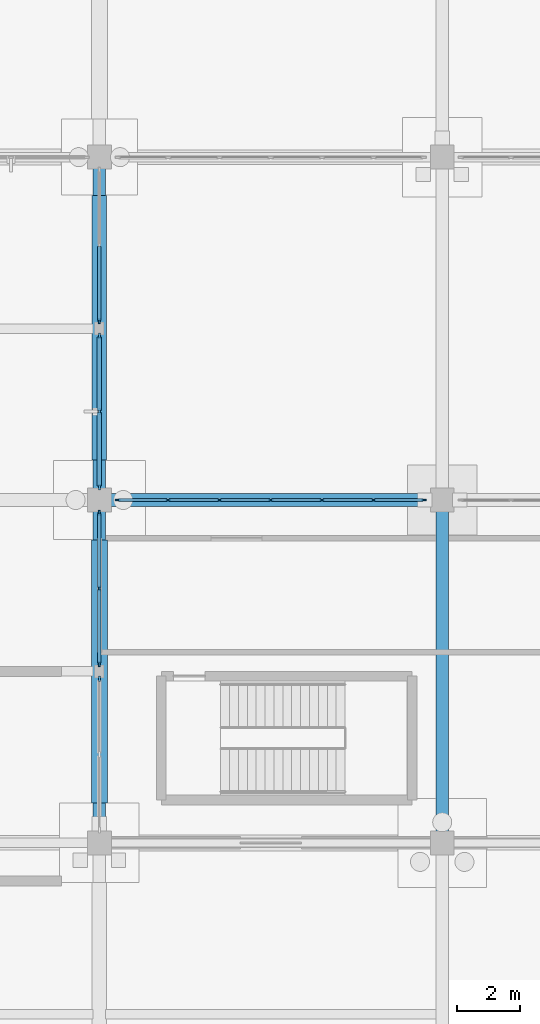
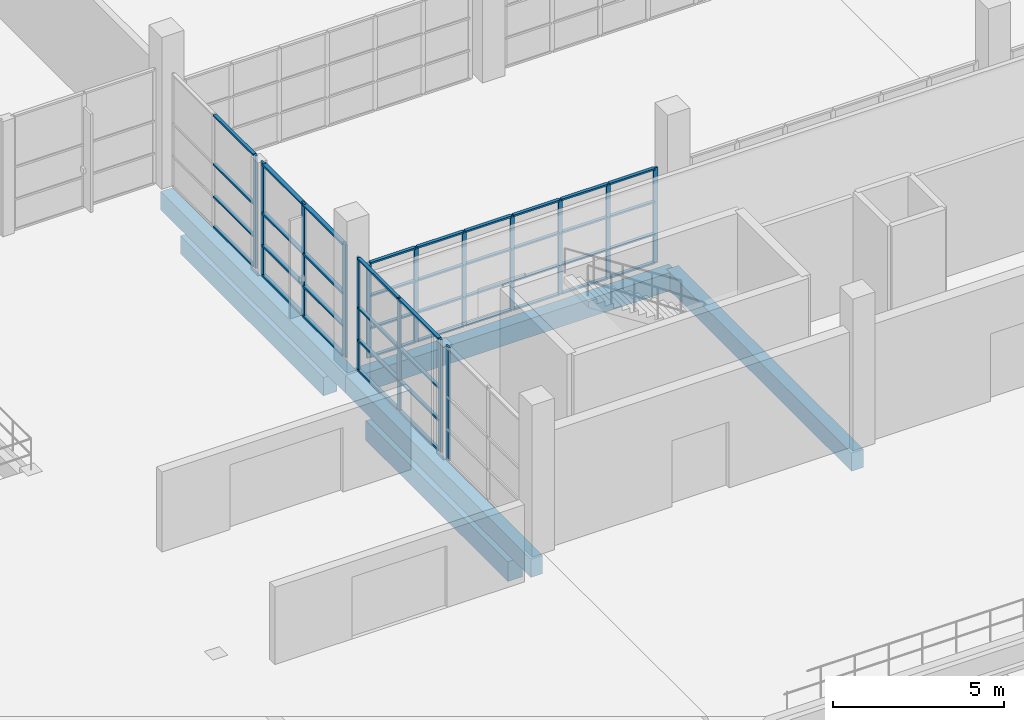
# One storey, part 33 of 138: 59 members, 6 beams, 5 elements without a shape of their own.
"""IFC4 building model written with IfcOpenShell, lengths in metres."""

import ifcopenshell
import ifcopenshell.guid

model = None  # the IFC model being written
_history = None  # IfcOwnerHistory: only IFC2X3 demands one
_inside = {}  # id of a spatial element -> (the spatial element, [elements in it])
_under = {}  # id of a project, library or spatial element -> (it, [spatial elements below it])
_declared = {}  # id of a project -> (the project, [libraries it declares])
_typed = {}  # id of a type object -> (the type object, [elements of that type])
_made_of = {}  # id of a material, layer set ... -> (it, [elements and type objects made of it])


def new_model(schema):
    """Start an empty IFC model of exactly this schema.

    Asked for "IFC4X3", IfcOpenShell would pick the latest addendum, in which some entities
    have other attributes; the version numbers below select the first issue.
    IFC2X3 requires an IfcOwnerHistory on every rooted entity: one is made here for all.
    """
    global model, _history
    if schema == "IFC4X3":
        model = ifcopenshell.file(schema_version=(4, 3, 0, 0))
    else:
        model = ifcopenshell.file(schema=schema)
    _inside.clear()
    _under.clear()
    _declared.clear()
    _typed.clear()
    _made_of.clear()
    _history = None
    if model.schema == "IFC2X3":
        org = make("IfcOrganization", Name="unknown")
        user = make(
            "IfcPersonAndOrganization",
            ThePerson=make("IfcPerson", FamilyName="unknown"),
            TheOrganization=org,
        )
        app = make(
            "IfcApplication",
            ApplicationDeveloper=org,
            Version="unknown",
            ApplicationFullName="unknown",
            ApplicationIdentifier="unknown",
        )
        _history = make(
            "IfcOwnerHistory",
            OwningUser=user,
            OwningApplication=app,
            ChangeAction="ADDED",
            CreationDate=0,
        )
    return model


def make(cls, **values):
    """One entity of the class cls with the attributes given. An attribute that is None is left unset."""
    return model.create_entity(
        cls, **{name: value for name, value in values.items() if value is not None}
    )


def rooted(cls, **values):
    """An entity with a GlobalId (a new one), such as an element, a storey or a relation."""
    return make(cls, GlobalId=ifcopenshell.guid.new(), OwnerHistory=_history, **values)


def si_unit(unit_type, name, prefix=None):
    """IfcSIUnit, for example si_unit("LENGTHUNIT", "METRE", prefix="MILLI")."""
    return make("IfcSIUnit", UnitType=unit_type, Prefix=prefix, Name=name)


def assignment(units):
    """IfcUnitAssignment: the units of a project."""
    return None if units is None else make("IfcUnitAssignment", Units=units)


def point(xyz):
    """IfcCartesianPoint."""
    return None if xyz is None else make("IfcCartesianPoint", Coordinates=xyz)


def direction(xyz):
    """IfcDirection."""
    return None if xyz is None else make("IfcDirection", DirectionRatios=xyz)


def frame(location, z_axis=None, x_axis=None):
    """IfcAxis2Placement3D, a coordinate frame: its origin and axes. An axis left out is left unset."""
    return make(
        "IfcAxis2Placement3D",
        Location=point(location),
        Axis=direction(z_axis),
        RefDirection=direction(x_axis),
    )


def frame_2d(location, x_axis=None):
    """IfcAxis2Placement2D, a coordinate frame in the plane: its origin and x axis."""
    return make(
        "IfcAxis2Placement2D", Location=point(location), RefDirection=direction(x_axis)
    )


def origin():
    """The frame at (0, 0, 0) with its axes left unset."""
    return frame((0.0, 0.0, 0.0))


def origin_2d():
    """The frame at (0, 0) in the plane with its x axis left unset."""
    return frame_2d((0.0, 0.0))


def place(relative_to, where):
    """IfcLocalPlacement: puts the frame where relative to a parent placement (None: the world)."""
    return make(
        "IfcLocalPlacement", PlacementRelTo=relative_to, RelativePlacement=where
    )


def context(
    kind, dimensions, precision=None, world=None, true_north=None, identifier=None
):
    """IfcGeometricRepresentationContext, for example the 3D "Model" context."""
    return make(
        "IfcGeometricRepresentationContext",
        ContextIdentifier=identifier,
        ContextType=kind,
        CoordinateSpaceDimension=dimensions,
        Precision=precision,
        WorldCoordinateSystem=world,
        TrueNorth=true_north,
    )


def subcontext(parent, identifier, kind, view, scale=None):
    """IfcGeometricRepresentationSubContext, for example "Body" below "Model"."""
    return make(
        "IfcGeometricRepresentationSubContext",
        ContextIdentifier=identifier,
        ContextType=kind,
        ParentContext=parent,
        TargetScale=scale,
        TargetView=view,
    )


def project(units=None, contexts=None):
    """IfcProject with its units and contexts."""
    return rooted(
        "IfcProject",
        Name="project",
        RepresentationContexts=contexts,
        UnitsInContext=assignment(units),
    )


def spatial(cls, under=None, at=None, **own):
    """A site, building, storey or space (cls), placed at a placement, below another one or the project."""
    s = rooted(cls, ObjectPlacement=at, **own)
    if under is not None:
        _under.setdefault(under.id(), (under, []))[1].append(s)
    return s


def profile(cls, at=None, kind="AREA", **sizes):
    """A parametric profile (cls). Its sizes go by their IFC names, for example OverallWidth=200.0."""
    return make(cls, ProfileType=kind, Position=at, **sizes)


def rectangle(**sizes):
    """IfcRectangleProfileDef."""
    return profile("IfcRectangleProfileDef", **sizes)


def extrude(swept, where, along, depth):
    """IfcExtrudedAreaSolid: the profile swept, set in the frame where, extruded along a direction by depth."""
    return make(
        "IfcExtrudedAreaSolid",
        SweptArea=swept,
        Position=where,
        ExtrudedDirection=direction(along),
        Depth=depth,
    )


def shape(context_of_items, identifier, shape_type, items):
    """IfcShapeRepresentation: the items that make up one representation, for example the "Body"."""
    return make(
        "IfcShapeRepresentation",
        ContextOfItems=context_of_items,
        RepresentationIdentifier=identifier,
        RepresentationType=shape_type,
        Items=items,
    )


def material(Name=None, Category=None):
    """IfcMaterial."""
    return make("IfcMaterial", Name=Name, Category=Category)


def material_profile(
    of_material, cross_section, Name=None, Category=None, Priority=None
):
    """IfcMaterialProfile: a cross section and its material."""
    return make(
        "IfcMaterialProfile",
        Name=Name,
        Material=of_material,
        Profile=cross_section,
        Priority=Priority,
        Category=Category,
    )


def profile_set(profiles, Name=None, composite=None):
    """IfcMaterialProfileSet."""
    return make(
        "IfcMaterialProfileSet",
        Name=Name,
        MaterialProfiles=profiles,
        CompositeProfile=composite,
    )


def made_of(thing, what):
    """Note that an element or type object is made of a material, layer set ...; save() writes the relation."""
    if what is not None:
        _made_of.setdefault(what.id(), (what, []))[1].append(thing)
    return thing


def type_object(cls, material=None, **own):
    """A type object (cls), such as IfcWallType, which elements share."""
    return made_of(rooted(cls, **own), material)


def element(
    cls,
    number,
    at=None,
    inside=None,
    cuts=None,
    type_object=None,
    material=None,
    context=None,
    identifier="Body",
    shape_type=None,
    held_by="IfcProductDefinitionShape",
    body=None,
    shapes=None,
    **own,
):
    """One element of the class cls, such as IfcWall. Its Tag is "e" and its number.

    at: its placement. inside: the storey or other place that contains it. cuts: it is an
    opening in that element (IfcRelVoidsElement). A single representation is given by context,
    identifier, shape_type and body (its items); several are given by shapes. held_by: the class
    of the entity that holds the representations. save() writes the other relations.
    """
    e = rooted(cls, Tag="e%d" % number, ObjectPlacement=at, **own)
    if body is not None:
        shapes = [shape(context, identifier, shape_type, body)]
    if shapes is not None:
        e.Representation = make(held_by, Representations=shapes)
    if inside is not None:
        _inside.setdefault(inside.id(), (inside, []))[1].append(e)
    if cuts is not None:
        rooted(
            "IfcRelVoidsElement", RelatingBuildingElement=cuts, RelatedOpeningElement=e
        )
    if type_object is not None:
        _typed.setdefault(type_object.id(), (type_object, []))[1].append(e)
    return made_of(e, material)


def aggregate(whole, parts):
    """IfcRelAggregates: a whole, such as a stair, and the parts it consists of."""
    return rooted("IfcRelAggregates", RelatingObject=whole, RelatedObjects=parts)


def save(model, path):
    """Write the relations noted so far, then the file.

    IfcRelAggregates (storeys below a building ...), IfcRelContainedInSpatialStructure (elements
    in a storey), IfcRelDefinesByType, IfcRelAssociatesMaterial and IfcRelDeclares: one each for
    every whole, place, type object, material and project.
    """
    for whole, parts in _under.values():
        aggregate(whole, parts)
    for where, things in _inside.values():
        rooted(
            "IfcRelContainedInSpatialStructure",
            RelatedElements=things,
            RelatingStructure=where,
        )
    for kind, things in _typed.values():
        rooted("IfcRelDefinesByType", RelatedObjects=things, RelatingType=kind)
    for what, things in _made_of.values():
        rooted("IfcRelAssociatesMaterial", RelatedObjects=things, RelatingMaterial=what)
    for by, libraries in _declared.values():
        rooted("IfcRelDeclares", RelatingContext=by, RelatedDefinitions=libraries)
    model.write(path)


model = new_model("IFC4")

# Units and contexts
model_context = context("Model", 3, precision=1e-05, world=origin(), true_north=direction((0.0, 1.0)))
body_context = subcontext(model_context, "Body", "Model", "MODEL_VIEW")
ifc_project = project(units=[si_unit("LENGTHUNIT", "METRE"), si_unit("AREAUNIT", "SQUARE_METRE"), si_unit("VOLUMEUNIT", "CUBIC_METRE"), si_unit("PLANEANGLEUNIT", "RADIAN"), si_unit("MASSUNIT", "GRAM", prefix="KILO")], contexts=[model_context])

# Site, building, storey
site_placement = place(None, origin())
site = spatial("IfcSite", under=ifc_project, at=site_placement, CompositionType="ELEMENT")
building_placement = place(site_placement, origin())
building = spatial("IfcBuilding", under=site, at=building_placement, Name="Zwinboog Wholesale Market", CompositionType="ELEMENT")
storey_placement = place(building_placement, origin())
storey = spatial("IfcBuildingStorey", under=building, at=storey_placement, Name="L00", CompositionType="ELEMENT", Elevation=0.0)

# Beams
ifc_material_1 = material(Name="Precast concrete C45/55", Category="concrete")
ifc_material_profile_1 = material_profile(ifc_material_1, rectangle(XDim=0.39990234375, YDim=0.64990234375, at=origin_2d()), Name="PC 400x650")
ifc_profile_set_1 = profile_set([ifc_material_profile_1], Name="Precast concrete C45/55")
beam_type_1 = type_object("IfcBeamType", Name="BT-05", PredefinedType="BEAM", material=ifc_profile_set_1)
for number, where, z_axis, x_axis, name in (
    (1, (64.800048828125, 54.0, -0.68994140625), (1.0, 0.0, 0.0), (0.0, 1.0, 0.0), "BG-05 (BMG-L00-0648-0540-0073)"),
    (2, (64.800048828125, 43.199951171875, -0.68994140625), (0.0, 1.0, 0.0), (-1.0, 0.0, 0.0), "BG-05 (BMG-L00-0648-0432-0277)"),
    (3, (64.800048828125, 54.0, -0.68994140625), (0.0, 1.0, 0.0), (-1.0, 0.0, 0.0), "BG-05 (BMG-L00-0648-0540-0278)"),
    (4, (75.60009765625, 43.199951171875, -0.68994140625), (0.0, 1.0, 0.0), (-1.0, 0.0, 0.0), "BG-05 (BMG-L00-0756-0432-0285)"),
):
    element("IfcBeam", number, at=place(storey_placement, frame(where, z_axis=z_axis, x_axis=x_axis)), inside=storey, type_object=beam_type_1, Name=name, PredefinedType="BEAM", context=body_context, shape_type="SweptSolid", body=[
        extrude(rectangle(XDim=0.39990234375, YDim=0.64990234375, at=origin_2d()), origin(), (0.0, 0.0, 1.0), 10.800048828125),
    ])
ifc_material_2 = material(Name="Concrete C35/45", Category="concrete")
ifc_material_profile_2 = material_profile(ifc_material_2, rectangle(XDim=0.5, YDim=0.699951171875, at=origin_2d()), Name="RC 500x700")
ifc_profile_set_2 = profile_set([ifc_material_profile_2], Name="Concrete C35/45")
beam_type_2 = type_object("IfcBeamType", Name="BT-12", PredefinedType="USERDEFINED", material=ifc_profile_set_2)
beam_1_placement = place(storey_placement, frame((64.800048828125, 44.455078125, -1.550048828125), z_axis=(0.0, 1.0, 0.0), x_axis=(-1.0, 0.0, 0.0)))
element("IfcBeam", 5, at=beam_1_placement, inside=storey, type_object=beam_type_2, Name="GB-01 (BM-GB-0152)", ObjectType="GROUND_BEAM", PredefinedType="USERDEFINED", context=body_context, shape_type="SweptSolid", body=[
    extrude(rectangle(XDim=0.5, YDim=0.699951171875, at=origin_2d()), origin(), (0.0, 0.0, 1.0), 8.2900390625),
])
ifc_material_profile_3 = material_profile(ifc_material_2, rectangle(XDim=0.449951171875, YDim=0.64990234375, at=origin_2d()), Name="RC 450x650")
ifc_profile_set_3 = profile_set([ifc_material_profile_3], Name="Concrete C35/45")
beam_type_3 = type_object("IfcBeamType", Name="BT-13", PredefinedType="USERDEFINED", material=ifc_profile_set_3)
beam_2_placement = place(storey_placement, frame((64.800048828125, 55.2548828125, -1.52490234375), z_axis=(0.0, 1.0, 0.0), x_axis=(-1.0, 0.0, 0.0)))
element("IfcBeam", 6, at=beam_2_placement, inside=storey, type_object=beam_type_3, Name="GB-02 (BM-GB-0153)", ObjectType="GROUND_BEAM", PredefinedType="USERDEFINED", context=body_context, shape_type="SweptSolid", body=[
    extrude(rectangle(XDim=0.449951171875, YDim=0.64990234375, at=origin_2d()), origin(), (0.0, 0.0, 1.0), 8.340087890625),
])

# Curtain wall, member
ifc_material_3 = material(Name="Aluminium thermally broken curtain wall", Category="aluminium")
curtain_wall_type_1 = type_object("IfcCurtainWallType", Name="CWT-STALL-18", PredefinedType="USERDEFINED", material=ifc_material_3)
curtain_wall_1_placement = place(storey_placement, origin())
curtain_wall_1 = element("IfcCurtainWall", 7, at=curtain_wall_1_placement, inside=storey, type_object=curtain_wall_type_1, Name="CW-01 (CW-L00-031)", ObjectType="STOREFRONT_GLAZING", PredefinedType="USERDEFINED")
ifc_material_4 = material(Name="Aluminium EN AW-6060", Category="aluminium")
ifc_material_profile_4 = material_profile(ifc_material_4, rectangle(XDim=0.06494140625, YDim=0.179931640625, at=origin_2d()), Name="AL 65x180")
ifc_profile_set_4 = profile_set([ifc_material_profile_4], Name="Aluminium EN AW-6060")
member_type_1 = type_object("IfcMemberType", Name="CWM-65x180", PredefinedType="MULLION", material=ifc_profile_set_4)
member_1_placement = place(storey_placement, frame((64.800048828125, 48.367431640625, 0.0), z_axis=(0.0, 0.0, 1.0), x_axis=(-1.0, 0.0, 0.0)))
member_1 = element("IfcMember", 8, at=member_1_placement, type_object=member_type_1, Name="CW-01 mullion 3", PredefinedType="MULLION", context=body_context, shape_type="SweptSolid", body=[
    extrude(rectangle(XDim=0.06494140625, YDim=0.179931640625, at=origin_2d()), origin(), (0.0, 0.0, 1.0), 4.02490234375),
])
aggregate(curtain_wall_1, [member_1])

# Curtain wall, members
curtain_wall_type_2 = type_object("IfcCurtainWallType", Name="CWT-HALL-24", PredefinedType="USERDEFINED", material=ifc_material_3)
curtain_wall_2_placement = place(storey_placement, origin())
curtain_wall_2 = element("IfcCurtainWall", 9, at=curtain_wall_2_placement, inside=storey, type_object=curtain_wall_type_2, Name="CW-03 (CW-L00-033)", ObjectType="UNITIZED_CURTAIN_WALL", PredefinedType="USERDEFINED")
member_2_placement = place(storey_placement, frame((64.800048828125, 54.402587890625, 0.0), z_axis=(0.0, 0.0, 1.0), x_axis=(-1.0, 0.0, 0.0)))
member_2 = element("IfcMember", 10, at=member_2_placement, type_object=member_type_1, Name="CW-03 mullion 1", PredefinedType="MULLION", context=body_context, shape_type="SweptSolid", body=[
    extrude(rectangle(XDim=0.06494140625, YDim=0.179931640625, at=origin_2d()), origin(), (0.0, 0.0, 1.0), 4.02490234375),
])
member_3_placement = place(storey_placement, frame((64.800048828125, 56.784912109375, 0.0), z_axis=(0.0, 0.0, 1.0), x_axis=(-1.0, 0.0, 0.0)))
member_3 = element("IfcMember", 11, at=member_3_placement, type_object=member_type_1, Name="CW-03 mullion 2", PredefinedType="MULLION", context=body_context, shape_type="SweptSolid", body=[
    extrude(rectangle(XDim=0.06494140625, YDim=0.179931640625, at=origin_2d()), origin(), (0.0, 0.0, 1.0), 4.02490234375),
])
member_4_placement = place(storey_placement, frame((64.800048828125, 59.16748046875, 0.0), z_axis=(0.0, 0.0, 1.0), x_axis=(-1.0, 0.0, 0.0)))
member_4 = element("IfcMember", 12, at=member_4_placement, type_object=member_type_1, Name="CW-03 mullion 3", PredefinedType="MULLION", context=body_context, shape_type="SweptSolid", body=[
    extrude(rectangle(XDim=0.06494140625, YDim=0.179931640625, at=origin_2d()), origin(), (0.0, 0.0, 1.0), 4.02490234375),
])

curtain_wall_type_3 = type_object("IfcCurtainWallType", Name="CWT-STALL-20", PredefinedType="USERDEFINED", material=ifc_material_3)
curtain_wall_3_placement = place(storey_placement, origin())
curtain_wall_3 = element("IfcCurtainWall", 13, at=curtain_wall_3_placement, inside=storey, type_object=curtain_wall_type_3, Name="CW-02 (CW-L00-032)", ObjectType="STOREFRONT_GLAZING", PredefinedType="USERDEFINED")
ifc_material_profile_5 = material_profile(ifc_material_4, rectangle(XDim=0.06005859375, YDim=0.14990234375, at=origin_2d()), Name="AL 60x150")
ifc_profile_set_5 = profile_set([ifc_material_profile_5], Name="Aluminium EN AW-6060")
member_type_2 = type_object("IfcMemberType", Name="CWM-60x150", PredefinedType="MULLION", material=ifc_profile_set_5)
member_5_placement = place(storey_placement, frame((64.800048828125, 48.830078125, 0.0), z_axis=(0.0, 0.0, 1.0), x_axis=(-1.0, 0.0, 0.0)))
member_5 = element("IfcMember", 14, at=member_5_placement, type_object=member_type_2, Name="CW-02 mullion 1", PredefinedType="MULLION", context=body_context, shape_type="SweptSolid", body=[
    extrude(rectangle(XDim=0.06005859375, YDim=0.14990234375, at=origin_2d()), origin(), (0.0, 0.0, 1.0), 4.02490234375),
])
member_6_placement = place(storey_placement, frame((64.800048828125, 51.215087890625, 0.0), z_axis=(0.0, 0.0, 1.0), x_axis=(-1.0, 0.0, 0.0)))
member_6 = element("IfcMember", 15, at=member_6_placement, type_object=member_type_2, Name="CW-02 mullion 2", PredefinedType="MULLION", context=body_context, shape_type="SweptSolid", body=[
    extrude(rectangle(XDim=0.06005859375, YDim=0.14990234375, at=origin_2d()), origin(), (0.0, 0.0, 1.0), 4.02490234375),
])
member_7_placement = place(storey_placement, frame((64.800048828125, 53.60009765625, 0.0), z_axis=(0.0, 0.0, 1.0), x_axis=(-1.0, 0.0, 0.0)))
member_7 = element("IfcMember", 16, at=member_7_placement, type_object=member_type_2, Name="CW-02 mullion 3", PredefinedType="MULLION", context=body_context, shape_type="SweptSolid", body=[
    extrude(rectangle(XDim=0.06005859375, YDim=0.14990234375, at=origin_2d()), origin(), (0.0, 0.0, 1.0), 4.02490234375),
])

# Curtain wall, member
curtain_wall_type_4 = type_object("IfcCurtainWallType", Name="CWT-GAL-16", PredefinedType="USERDEFINED", material=ifc_material_3)
curtain_wall_4_placement = place(storey_placement, origin())
curtain_wall_4 = element("IfcCurtainWall", 17, at=curtain_wall_4_placement, inside=storey, type_object=curtain_wall_type_4, Name="CW-04 (CW-L00-034)", ObjectType="UNITIZED_CURTAIN_WALL", PredefinedType="USERDEFINED")
member_8_placement = place(storey_placement, frame((64.800048828125, 59.6298828125, 0.0), z_axis=(0.0, 0.0, 1.0), x_axis=(-1.0, 0.0, 0.0)))
member_8 = element("IfcMember", 18, at=member_8_placement, type_object=member_type_2, Name="CW-04 mullion 1", PredefinedType="MULLION", context=body_context, shape_type="SweptSolid", body=[
    extrude(rectangle(XDim=0.06005859375, YDim=0.14990234375, at=origin_2d()), origin(), (0.0, 0.0, 1.0), 4.02490234375),
])

# Member
ifc_material_profile_6 = material_profile(ifc_material_4, rectangle(XDim=0.139892578125, YDim=0.06494140625, at=origin_2d()), Name="AL 65x140")
ifc_profile_set_6 = profile_set([ifc_material_profile_6], Name="Aluminium EN AW-6060")
member_type_3 = type_object("IfcMemberType", Name="CWT-65x140", PredefinedType="USERDEFINED", material=ifc_profile_set_6)
member_9_placement = place(storey_placement, frame((64.800048828125, 54.43505859375, 0.032470703125), z_axis=(0.0, 1.0, 0.0), x_axis=(-1.0, 0.0, 0.0)))
member_9 = element("IfcMember", 19, at=member_9_placement, type_object=member_type_3, Name="CW-03 transom 1.1", ObjectType="TRANSOM", PredefinedType="USERDEFINED", context=body_context, shape_type="SweptSolid", body=[
    extrude(rectangle(XDim=0.139892578125, YDim=0.06494140625, at=origin_2d()), origin(), (0.0, 0.0, 1.0), 2.3173828125),
])

member_10_placement = place(storey_placement, frame((64.800048828125, 54.43505859375, 1.10009765625), z_axis=(0.0, 1.0, 0.0), x_axis=(-1.0, 0.0, 0.0)))
member_10 = element("IfcMember", 20, at=member_10_placement, type_object=member_type_3, Name="CW-03 transom 1.2", ObjectType="TRANSOM", PredefinedType="USERDEFINED", context=body_context, shape_type="SweptSolid", body=[
    extrude(rectangle(XDim=0.139892578125, YDim=0.06494140625, at=origin_2d()), origin(), (0.0, 0.0, 1.0), 2.3173828125),
])

member_11_placement = place(storey_placement, frame((64.800048828125, 54.43505859375, 2.25), z_axis=(0.0, 1.0, 0.0), x_axis=(-1.0, 0.0, 0.0)))
member_11 = element("IfcMember", 21, at=member_11_placement, type_object=member_type_3, Name="CW-03 transom 1.3", ObjectType="TRANSOM", PredefinedType="USERDEFINED", context=body_context, shape_type="SweptSolid", body=[
    extrude(rectangle(XDim=0.139892578125, YDim=0.06494140625, at=origin_2d()), origin(), (0.0, 0.0, 1.0), 2.3173828125),
])

member_12_placement = place(storey_placement, frame((64.800048828125, 54.43505859375, 3.992431640625), z_axis=(0.0, 1.0, 0.0), x_axis=(-1.0, 0.0, 0.0)))
member_12 = element("IfcMember", 22, at=member_12_placement, type_object=member_type_3, Name="CW-03 transom 1.4", ObjectType="TRANSOM", PredefinedType="USERDEFINED", context=body_context, shape_type="SweptSolid", body=[
    extrude(rectangle(XDim=0.139892578125, YDim=0.06494140625, at=origin_2d()), origin(), (0.0, 0.0, 1.0), 2.3173828125),
])

member_13_placement = place(storey_placement, frame((64.800048828125, 56.8173828125, 0.032470703125), z_axis=(0.0, 1.0, 0.0), x_axis=(-1.0, 0.0, 0.0)))
member_13 = element("IfcMember", 23, at=member_13_placement, type_object=member_type_3, Name="CW-03 transom 2.1", ObjectType="TRANSOM", PredefinedType="USERDEFINED", context=body_context, shape_type="SweptSolid", body=[
    extrude(rectangle(XDim=0.139892578125, YDim=0.06494140625, at=origin_2d()), origin(), (0.0, 0.0, 1.0), 2.317626953125),
])

member_14_placement = place(storey_placement, frame((64.800048828125, 56.8173828125, 1.10009765625), z_axis=(0.0, 1.0, 0.0), x_axis=(-1.0, 0.0, 0.0)))
member_14 = element("IfcMember", 24, at=member_14_placement, type_object=member_type_3, Name="CW-03 transom 2.2", ObjectType="TRANSOM", PredefinedType="USERDEFINED", context=body_context, shape_type="SweptSolid", body=[
    extrude(rectangle(XDim=0.139892578125, YDim=0.06494140625, at=origin_2d()), origin(), (0.0, 0.0, 1.0), 2.317626953125),
])

member_15_placement = place(storey_placement, frame((64.800048828125, 56.8173828125, 2.25), z_axis=(0.0, 1.0, 0.0), x_axis=(-1.0, 0.0, 0.0)))
member_15 = element("IfcMember", 25, at=member_15_placement, type_object=member_type_3, Name="CW-03 transom 2.3", ObjectType="TRANSOM", PredefinedType="USERDEFINED", context=body_context, shape_type="SweptSolid", body=[
    extrude(rectangle(XDim=0.139892578125, YDim=0.06494140625, at=origin_2d()), origin(), (0.0, 0.0, 1.0), 2.317626953125),
])

member_16_placement = place(storey_placement, frame((64.800048828125, 56.8173828125, 3.992431640625), z_axis=(0.0, 1.0, 0.0), x_axis=(-1.0, 0.0, 0.0)))
member_16 = element("IfcMember", 26, at=member_16_placement, type_object=member_type_3, Name="CW-03 transom 2.4", ObjectType="TRANSOM", PredefinedType="USERDEFINED", context=body_context, shape_type="SweptSolid", body=[
    extrude(rectangle(XDim=0.139892578125, YDim=0.06494140625, at=origin_2d()), origin(), (0.0, 0.0, 1.0), 2.317626953125),
])

aggregate(curtain_wall_2, [member_2, member_3, member_4, member_9, member_10, member_11, member_12, member_13, member_14, member_15, member_16])

ifc_material_profile_7 = material_profile(ifc_material_4, rectangle(XDim=0.110107421875, YDim=0.06005859375, at=origin_2d()), Name="AL 60x110")
ifc_profile_set_7 = profile_set([ifc_material_profile_7], Name="Aluminium EN AW-6060")
member_type_4 = type_object("IfcMemberType", Name="CWT-60x110", PredefinedType="USERDEFINED", material=ifc_profile_set_7)
member_17_placement = place(storey_placement, frame((64.800048828125, 48.860107421875, 0.030029296875), z_axis=(0.0, 1.0, 0.0), x_axis=(-1.0, 0.0, 0.0)))
member_17 = element("IfcMember", 27, at=member_17_placement, type_object=member_type_4, Name="CW-02 transom 1.1", ObjectType="TRANSOM", PredefinedType="USERDEFINED", context=body_context, shape_type="SweptSolid", body=[
    extrude(rectangle(XDim=0.110107421875, YDim=0.06005859375, at=origin_2d()), origin(), (0.0, 0.0, 1.0), 2.324951171875),
])

member_18_placement = place(storey_placement, frame((64.800048828125, 48.860107421875, 1.10009765625), z_axis=(0.0, 1.0, 0.0), x_axis=(-1.0, 0.0, 0.0)))
member_18 = element("IfcMember", 28, at=member_18_placement, type_object=member_type_4, Name="CW-02 transom 1.2", ObjectType="TRANSOM", PredefinedType="USERDEFINED", context=body_context, shape_type="SweptSolid", body=[
    extrude(rectangle(XDim=0.110107421875, YDim=0.06005859375, at=origin_2d()), origin(), (0.0, 0.0, 1.0), 2.324951171875),
])

member_19_placement = place(storey_placement, frame((64.800048828125, 48.860107421875, 2.25), z_axis=(0.0, 1.0, 0.0), x_axis=(-1.0, 0.0, 0.0)))
member_19 = element("IfcMember", 29, at=member_19_placement, type_object=member_type_4, Name="CW-02 transom 1.3", ObjectType="TRANSOM", PredefinedType="USERDEFINED", context=body_context, shape_type="SweptSolid", body=[
    extrude(rectangle(XDim=0.110107421875, YDim=0.06005859375, at=origin_2d()), origin(), (0.0, 0.0, 1.0), 2.324951171875),
])

member_20_placement = place(storey_placement, frame((64.800048828125, 48.860107421875, 3.9951171875), z_axis=(0.0, 1.0, 0.0), x_axis=(-1.0, 0.0, 0.0)))
member_20 = element("IfcMember", 30, at=member_20_placement, type_object=member_type_4, Name="CW-02 transom 1.4", ObjectType="TRANSOM", PredefinedType="USERDEFINED", context=body_context, shape_type="SweptSolid", body=[
    extrude(rectangle(XDim=0.110107421875, YDim=0.06005859375, at=origin_2d()), origin(), (0.0, 0.0, 1.0), 2.324951171875),
])

member_21_placement = place(storey_placement, frame((64.800048828125, 51.2451171875, 0.030029296875), z_axis=(0.0, 1.0, 0.0), x_axis=(-1.0, 0.0, 0.0)))
member_21 = element("IfcMember", 31, at=member_21_placement, type_object=member_type_4, Name="CW-02 transom 2.1", ObjectType="TRANSOM", PredefinedType="USERDEFINED", context=body_context, shape_type="SweptSolid", body=[
    extrude(rectangle(XDim=0.110107421875, YDim=0.06005859375, at=origin_2d()), origin(), (0.0, 0.0, 1.0), 2.324951171875),
])

member_22_placement = place(storey_placement, frame((64.800048828125, 51.2451171875, 1.10009765625), z_axis=(0.0, 1.0, 0.0), x_axis=(-1.0, 0.0, 0.0)))
member_22 = element("IfcMember", 32, at=member_22_placement, type_object=member_type_4, Name="CW-02 transom 2.2", ObjectType="TRANSOM", PredefinedType="USERDEFINED", context=body_context, shape_type="SweptSolid", body=[
    extrude(rectangle(XDim=0.110107421875, YDim=0.06005859375, at=origin_2d()), origin(), (0.0, 0.0, 1.0), 2.324951171875),
])

member_23_placement = place(storey_placement, frame((64.800048828125, 51.2451171875, 2.25), z_axis=(0.0, 1.0, 0.0), x_axis=(-1.0, 0.0, 0.0)))
member_23 = element("IfcMember", 33, at=member_23_placement, type_object=member_type_4, Name="CW-02 transom 2.3", ObjectType="TRANSOM", PredefinedType="USERDEFINED", context=body_context, shape_type="SweptSolid", body=[
    extrude(rectangle(XDim=0.110107421875, YDim=0.06005859375, at=origin_2d()), origin(), (0.0, 0.0, 1.0), 2.324951171875),
])

member_24_placement = place(storey_placement, frame((64.800048828125, 51.2451171875, 3.9951171875), z_axis=(0.0, 1.0, 0.0), x_axis=(-1.0, 0.0, 0.0)))
member_24 = element("IfcMember", 34, at=member_24_placement, type_object=member_type_4, Name="CW-02 transom 2.4", ObjectType="TRANSOM", PredefinedType="USERDEFINED", context=body_context, shape_type="SweptSolid", body=[
    extrude(rectangle(XDim=0.110107421875, YDim=0.06005859375, at=origin_2d()), origin(), (0.0, 0.0, 1.0), 2.324951171875),
])

aggregate(curtain_wall_3, [member_5, member_6, member_7, member_17, member_18, member_19, member_20, member_21, member_22, member_23, member_24])

member_25_placement = place(storey_placement, frame((64.800048828125, 59.659912109375, 0.030029296875), z_axis=(0.0, 1.0, 0.0), x_axis=(-1.0, 0.0, 0.0)))
member_25 = element("IfcMember", 35, at=member_25_placement, type_object=member_type_4, Name="CW-04 transom 1.1", ObjectType="TRANSOM", PredefinedType="USERDEFINED", context=body_context, shape_type="SweptSolid", body=[
    extrude(rectangle(XDim=0.110107421875, YDim=0.06005859375, at=origin_2d()), origin(), (0.0, 0.0, 1.0), 2.3251953125),
])

member_26_placement = place(storey_placement, frame((64.800048828125, 59.659912109375, 1.10009765625), z_axis=(0.0, 1.0, 0.0), x_axis=(-1.0, 0.0, 0.0)))
member_26 = element("IfcMember", 36, at=member_26_placement, type_object=member_type_4, Name="CW-04 transom 1.2", ObjectType="TRANSOM", PredefinedType="USERDEFINED", context=body_context, shape_type="SweptSolid", body=[
    extrude(rectangle(XDim=0.110107421875, YDim=0.06005859375, at=origin_2d()), origin(), (0.0, 0.0, 1.0), 2.3251953125),
])

member_27_placement = place(storey_placement, frame((64.800048828125, 59.659912109375, 2.25), z_axis=(0.0, 1.0, 0.0), x_axis=(-1.0, 0.0, 0.0)))
member_27 = element("IfcMember", 37, at=member_27_placement, type_object=member_type_4, Name="CW-04 transom 1.3", ObjectType="TRANSOM", PredefinedType="USERDEFINED", context=body_context, shape_type="SweptSolid", body=[
    extrude(rectangle(XDim=0.110107421875, YDim=0.06005859375, at=origin_2d()), origin(), (0.0, 0.0, 1.0), 2.3251953125),
])

member_28_placement = place(storey_placement, frame((64.800048828125, 59.659912109375, 3.9951171875), z_axis=(0.0, 1.0, 0.0), x_axis=(-1.0, 0.0, 0.0)))
member_28 = element("IfcMember", 38, at=member_28_placement, type_object=member_type_4, Name="CW-04 transom 1.4", ObjectType="TRANSOM", PredefinedType="USERDEFINED", context=body_context, shape_type="SweptSolid", body=[
    extrude(rectangle(XDim=0.110107421875, YDim=0.06005859375, at=origin_2d()), origin(), (0.0, 0.0, 1.0), 2.3251953125),
])

aggregate(curtain_wall_4, [member_8, member_25, member_26, member_27, member_28])

# Curtain wall, members
curtain_wall_type_5 = type_object("IfcCurtainWallType", Name="CWT-INT-STALL", PredefinedType="USERDEFINED", material=ifc_material_3)
curtain_wall_5_placement = place(storey_placement, origin())
curtain_wall_5 = element("IfcCurtainWall", 39, at=curtain_wall_5_placement, inside=storey, type_object=curtain_wall_type_5, Name="CW-07 (CW-STL-181)", ObjectType="STOREFRONT_GLAZING", PredefinedType="USERDEFINED")
ifc_material_profile_8 = material_profile(ifc_material_4, rectangle(XDim=0.06005859375, YDim=0.14990234375, at=origin_2d()), Name="AL 60x150")
ifc_profile_set_8 = profile_set([ifc_material_profile_8], Name="Aluminium EN AW-6060")
member_type_5 = type_object("IfcMemberType", Name="CWM-INT-60x120", PredefinedType="MULLION", material=ifc_profile_set_8)
member_29_placement = place(storey_placement, frame((65.3798828125, 54.0, 0.0), z_axis=(0.0, 0.0, 1.0), x_axis=(0.0, 1.0, 0.0)))
member_29 = element("IfcMember", 40, at=member_29_placement, type_object=member_type_5, Name="CW-07 mullion 1", PredefinedType="MULLION", context=body_context, shape_type="SweptSolid", body=[
    extrude(rectangle(XDim=0.06005859375, YDim=0.14990234375, at=origin_2d()), origin(), (0.0, 0.0, 1.0), 3.39990234375),
])
member_30_placement = place(storey_placement, frame((66.966552734375, 54.0, 0.0), z_axis=(0.0, 0.0, 1.0), x_axis=(0.0, 1.0, 0.0)))
member_30 = element("IfcMember", 41, at=member_30_placement, type_object=member_type_5, Name="CW-07 mullion 2", PredefinedType="MULLION", context=body_context, shape_type="SweptSolid", body=[
    extrude(rectangle(XDim=0.06005859375, YDim=0.14990234375, at=origin_2d()), origin(), (0.0, 0.0, 1.0), 3.39990234375),
])
member_31_placement = place(storey_placement, frame((68.583251953125, 54.0, 0.0), z_axis=(0.0, 0.0, 1.0), x_axis=(0.0, 1.0, 0.0)))
member_31 = element("IfcMember", 42, at=member_31_placement, type_object=member_type_5, Name="CW-07 mullion 3", PredefinedType="MULLION", context=body_context, shape_type="SweptSolid", body=[
    extrude(rectangle(XDim=0.06005859375, YDim=0.14990234375, at=origin_2d()), origin(), (0.0, 0.0, 1.0), 3.39990234375),
])
member_32_placement = place(storey_placement, frame((70.199951171875, 54.0, 0.0), z_axis=(0.0, 0.0, 1.0), x_axis=(0.0, 1.0, 0.0)))
member_32 = element("IfcMember", 43, at=member_32_placement, type_object=member_type_5, Name="CW-07 mullion 4", PredefinedType="MULLION", context=body_context, shape_type="SweptSolid", body=[
    extrude(rectangle(XDim=0.06005859375, YDim=0.14990234375, at=origin_2d()), origin(), (0.0, 0.0, 1.0), 3.39990234375),
])
member_33_placement = place(storey_placement, frame((71.816650390625, 54.0, 0.0), z_axis=(0.0, 0.0, 1.0), x_axis=(0.0, 1.0, 0.0)))
member_33 = element("IfcMember", 44, at=member_33_placement, type_object=member_type_5, Name="CW-07 mullion 5", PredefinedType="MULLION", context=body_context, shape_type="SweptSolid", body=[
    extrude(rectangle(XDim=0.06005859375, YDim=0.14990234375, at=origin_2d()), origin(), (0.0, 0.0, 1.0), 3.39990234375),
])
member_34_placement = place(storey_placement, frame((73.433349609375, 54.0, 0.0), z_axis=(0.0, 0.0, 1.0), x_axis=(0.0, 1.0, 0.0)))
member_34 = element("IfcMember", 45, at=member_34_placement, type_object=member_type_5, Name="CW-07 mullion 6", PredefinedType="MULLION", context=body_context, shape_type="SweptSolid", body=[
    extrude(rectangle(XDim=0.06005859375, YDim=0.14990234375, at=origin_2d()), origin(), (0.0, 0.0, 1.0), 3.39990234375),
])
member_35_placement = place(storey_placement, frame((75.02001953125, 54.0, 0.0), z_axis=(0.0, 0.0, 1.0), x_axis=(0.0, 1.0, 0.0)))
member_35 = element("IfcMember", 46, at=member_35_placement, type_object=member_type_5, Name="CW-07 mullion 7", PredefinedType="MULLION", context=body_context, shape_type="SweptSolid", body=[
    extrude(rectangle(XDim=0.06005859375, YDim=0.14990234375, at=origin_2d()), origin(), (0.0, 0.0, 1.0), 3.39990234375),
])
ifc_material_profile_9 = material_profile(ifc_material_4, rectangle(XDim=0.110107421875, YDim=0.06005859375, at=origin_2d()), Name="AL 60x110")
ifc_profile_set_9 = profile_set([ifc_material_profile_9], Name="Aluminium EN AW-6060")
member_type_6 = type_object("IfcMemberType", Name="CWT-INT-60x100", PredefinedType="USERDEFINED", material=ifc_profile_set_9)
member_36_placement = place(storey_placement, frame((65.409912109375, 54.0, 0.030029296875), z_axis=(1.0, 0.0, 0.0), x_axis=(0.0, 1.0, 0.0)))
member_36 = element("IfcMember", 47, at=member_36_placement, type_object=member_type_6, Name="CW-07 transom 1.1", ObjectType="TRANSOM", PredefinedType="USERDEFINED", context=body_context, shape_type="SweptSolid", body=[
    extrude(rectangle(XDim=0.110107421875, YDim=0.06005859375, at=origin_2d()), origin(), (0.0, 0.0, 1.0), 1.52685546875),
])
member_37_placement = place(storey_placement, frame((65.409912109375, 54.0, 1.050048828125), z_axis=(1.0, 0.0, 0.0), x_axis=(0.0, 1.0, 0.0)))
member_37 = element("IfcMember", 48, at=member_37_placement, type_object=member_type_6, Name="CW-07 transom 1.2", ObjectType="TRANSOM", PredefinedType="USERDEFINED", context=body_context, shape_type="SweptSolid", body=[
    extrude(rectangle(XDim=0.110107421875, YDim=0.06005859375, at=origin_2d()), origin(), (0.0, 0.0, 1.0), 1.52685546875),
])
member_38_placement = place(storey_placement, frame((65.409912109375, 54.0, 2.199951171875), z_axis=(1.0, 0.0, 0.0), x_axis=(0.0, 1.0, 0.0)))
member_38 = element("IfcMember", 49, at=member_38_placement, type_object=member_type_6, Name="CW-07 transom 1.3", ObjectType="TRANSOM", PredefinedType="USERDEFINED", context=body_context, shape_type="SweptSolid", body=[
    extrude(rectangle(XDim=0.110107421875, YDim=0.06005859375, at=origin_2d()), origin(), (0.0, 0.0, 1.0), 1.52685546875),
])
member_39_placement = place(storey_placement, frame((65.409912109375, 54.0, 3.3701171875), z_axis=(1.0, 0.0, 0.0), x_axis=(0.0, 1.0, 0.0)))
member_39 = element("IfcMember", 50, at=member_39_placement, type_object=member_type_6, Name="CW-07 transom 1.4", ObjectType="TRANSOM", PredefinedType="USERDEFINED", context=body_context, shape_type="SweptSolid", body=[
    extrude(rectangle(XDim=0.110107421875, YDim=0.06005859375, at=origin_2d()), origin(), (0.0, 0.0, 1.0), 1.52685546875),
])
member_40_placement = place(storey_placement, frame((66.99658203125, 54.0, 0.030029296875), z_axis=(1.0, 0.0, 0.0), x_axis=(0.0, 1.0, 0.0)))
member_40 = element("IfcMember", 51, at=member_40_placement, type_object=member_type_6, Name="CW-07 transom 2.1", ObjectType="TRANSOM", PredefinedType="USERDEFINED", context=body_context, shape_type="SweptSolid", body=[
    extrude(rectangle(XDim=0.110107421875, YDim=0.06005859375, at=origin_2d()), origin(), (0.0, 0.0, 1.0), 1.556640625),
])
member_41_placement = place(storey_placement, frame((66.99658203125, 54.0, 1.050048828125), z_axis=(1.0, 0.0, 0.0), x_axis=(0.0, 1.0, 0.0)))
member_41 = element("IfcMember", 52, at=member_41_placement, type_object=member_type_6, Name="CW-07 transom 2.2", ObjectType="TRANSOM", PredefinedType="USERDEFINED", context=body_context, shape_type="SweptSolid", body=[
    extrude(rectangle(XDim=0.110107421875, YDim=0.06005859375, at=origin_2d()), origin(), (0.0, 0.0, 1.0), 1.556640625),
])
member_42_placement = place(storey_placement, frame((66.99658203125, 54.0, 2.199951171875), z_axis=(1.0, 0.0, 0.0), x_axis=(0.0, 1.0, 0.0)))
member_42 = element("IfcMember", 53, at=member_42_placement, type_object=member_type_6, Name="CW-07 transom 2.3", ObjectType="TRANSOM", PredefinedType="USERDEFINED", context=body_context, shape_type="SweptSolid", body=[
    extrude(rectangle(XDim=0.110107421875, YDim=0.06005859375, at=origin_2d()), origin(), (0.0, 0.0, 1.0), 1.556640625),
])
member_43_placement = place(storey_placement, frame((66.99658203125, 54.0, 3.3701171875), z_axis=(1.0, 0.0, 0.0), x_axis=(0.0, 1.0, 0.0)))
member_43 = element("IfcMember", 54, at=member_43_placement, type_object=member_type_6, Name="CW-07 transom 2.4", ObjectType="TRANSOM", PredefinedType="USERDEFINED", context=body_context, shape_type="SweptSolid", body=[
    extrude(rectangle(XDim=0.110107421875, YDim=0.06005859375, at=origin_2d()), origin(), (0.0, 0.0, 1.0), 1.556640625),
])
member_44_placement = place(storey_placement, frame((68.61328125, 54.0, 0.030029296875), z_axis=(1.0, 0.0, 0.0), x_axis=(0.0, 1.0, 0.0)))
member_44 = element("IfcMember", 55, at=member_44_placement, type_object=member_type_6, Name="CW-07 transom 3.1", ObjectType="TRANSOM", PredefinedType="USERDEFINED", context=body_context, shape_type="SweptSolid", body=[
    extrude(rectangle(XDim=0.110107421875, YDim=0.06005859375, at=origin_2d()), origin(), (0.0, 0.0, 1.0), 1.556640625),
])
member_45_placement = place(storey_placement, frame((68.61328125, 54.0, 1.050048828125), z_axis=(1.0, 0.0, 0.0), x_axis=(0.0, 1.0, 0.0)))
member_45 = element("IfcMember", 56, at=member_45_placement, type_object=member_type_6, Name="CW-07 transom 3.2", ObjectType="TRANSOM", PredefinedType="USERDEFINED", context=body_context, shape_type="SweptSolid", body=[
    extrude(rectangle(XDim=0.110107421875, YDim=0.06005859375, at=origin_2d()), origin(), (0.0, 0.0, 1.0), 1.556640625),
])
member_46_placement = place(storey_placement, frame((68.61328125, 54.0, 2.199951171875), z_axis=(1.0, 0.0, 0.0), x_axis=(0.0, 1.0, 0.0)))
member_46 = element("IfcMember", 57, at=member_46_placement, type_object=member_type_6, Name="CW-07 transom 3.3", ObjectType="TRANSOM", PredefinedType="USERDEFINED", context=body_context, shape_type="SweptSolid", body=[
    extrude(rectangle(XDim=0.110107421875, YDim=0.06005859375, at=origin_2d()), origin(), (0.0, 0.0, 1.0), 1.556640625),
])
member_47_placement = place(storey_placement, frame((68.61328125, 54.0, 3.3701171875), z_axis=(1.0, 0.0, 0.0), x_axis=(0.0, 1.0, 0.0)))
member_47 = element("IfcMember", 58, at=member_47_placement, type_object=member_type_6, Name="CW-07 transom 3.4", ObjectType="TRANSOM", PredefinedType="USERDEFINED", context=body_context, shape_type="SweptSolid", body=[
    extrude(rectangle(XDim=0.110107421875, YDim=0.06005859375, at=origin_2d()), origin(), (0.0, 0.0, 1.0), 1.556640625),
])
member_48_placement = place(storey_placement, frame((70.22998046875, 54.0, 0.030029296875), z_axis=(1.0, 0.0, 0.0), x_axis=(0.0, 1.0, 0.0)))
member_48 = element("IfcMember", 59, at=member_48_placement, type_object=member_type_6, Name="CW-07 transom 4.1", ObjectType="TRANSOM", PredefinedType="USERDEFINED", context=body_context, shape_type="SweptSolid", body=[
    extrude(rectangle(XDim=0.110107421875, YDim=0.06005859375, at=origin_2d()), origin(), (0.0, 0.0, 1.0), 1.556640625),
])
member_49_placement = place(storey_placement, frame((70.22998046875, 54.0, 1.050048828125), z_axis=(1.0, 0.0, 0.0), x_axis=(0.0, 1.0, 0.0)))
member_49 = element("IfcMember", 60, at=member_49_placement, type_object=member_type_6, Name="CW-07 transom 4.2", ObjectType="TRANSOM", PredefinedType="USERDEFINED", context=body_context, shape_type="SweptSolid", body=[
    extrude(rectangle(XDim=0.110107421875, YDim=0.06005859375, at=origin_2d()), origin(), (0.0, 0.0, 1.0), 1.556640625),
])
member_50_placement = place(storey_placement, frame((70.22998046875, 54.0, 2.199951171875), z_axis=(1.0, 0.0, 0.0), x_axis=(0.0, 1.0, 0.0)))
member_50 = element("IfcMember", 61, at=member_50_placement, type_object=member_type_6, Name="CW-07 transom 4.3", ObjectType="TRANSOM", PredefinedType="USERDEFINED", context=body_context, shape_type="SweptSolid", body=[
    extrude(rectangle(XDim=0.110107421875, YDim=0.06005859375, at=origin_2d()), origin(), (0.0, 0.0, 1.0), 1.556640625),
])
member_51_placement = place(storey_placement, frame((70.22998046875, 54.0, 3.3701171875), z_axis=(1.0, 0.0, 0.0), x_axis=(0.0, 1.0, 0.0)))
member_51 = element("IfcMember", 62, at=member_51_placement, type_object=member_type_6, Name="CW-07 transom 4.4", ObjectType="TRANSOM", PredefinedType="USERDEFINED", context=body_context, shape_type="SweptSolid", body=[
    extrude(rectangle(XDim=0.110107421875, YDim=0.06005859375, at=origin_2d()), origin(), (0.0, 0.0, 1.0), 1.556640625),
])
member_52_placement = place(storey_placement, frame((71.8466796875, 54.0, 0.030029296875), z_axis=(1.0, 0.0, 0.0), x_axis=(0.0, 1.0, 0.0)))
member_52 = element("IfcMember", 63, at=member_52_placement, type_object=member_type_6, Name="CW-07 transom 5.1", ObjectType="TRANSOM", PredefinedType="USERDEFINED", context=body_context, shape_type="SweptSolid", body=[
    extrude(rectangle(XDim=0.110107421875, YDim=0.06005859375, at=origin_2d()), origin(), (0.0, 0.0, 1.0), 1.556640625),
])
member_53_placement = place(storey_placement, frame((71.8466796875, 54.0, 1.050048828125), z_axis=(1.0, 0.0, 0.0), x_axis=(0.0, 1.0, 0.0)))
member_53 = element("IfcMember", 64, at=member_53_placement, type_object=member_type_6, Name="CW-07 transom 5.2", ObjectType="TRANSOM", PredefinedType="USERDEFINED", context=body_context, shape_type="SweptSolid", body=[
    extrude(rectangle(XDim=0.110107421875, YDim=0.06005859375, at=origin_2d()), origin(), (0.0, 0.0, 1.0), 1.556640625),
])
member_54_placement = place(storey_placement, frame((71.8466796875, 54.0, 2.199951171875), z_axis=(1.0, 0.0, 0.0), x_axis=(0.0, 1.0, 0.0)))
member_54 = element("IfcMember", 65, at=member_54_placement, type_object=member_type_6, Name="CW-07 transom 5.3", ObjectType="TRANSOM", PredefinedType="USERDEFINED", context=body_context, shape_type="SweptSolid", body=[
    extrude(rectangle(XDim=0.110107421875, YDim=0.06005859375, at=origin_2d()), origin(), (0.0, 0.0, 1.0), 1.556640625),
])
member_55_placement = place(storey_placement, frame((71.8466796875, 54.0, 3.3701171875), z_axis=(1.0, 0.0, 0.0), x_axis=(0.0, 1.0, 0.0)))
member_55 = element("IfcMember", 66, at=member_55_placement, type_object=member_type_6, Name="CW-07 transom 5.4", ObjectType="TRANSOM", PredefinedType="USERDEFINED", context=body_context, shape_type="SweptSolid", body=[
    extrude(rectangle(XDim=0.110107421875, YDim=0.06005859375, at=origin_2d()), origin(), (0.0, 0.0, 1.0), 1.556640625),
])
member_56_placement = place(storey_placement, frame((73.46337890625, 54.0, 0.030029296875), z_axis=(1.0, 0.0, 0.0), x_axis=(0.0, 1.0, 0.0)))
member_56 = element("IfcMember", 67, at=member_56_placement, type_object=member_type_6, Name="CW-07 transom 6.1", ObjectType="TRANSOM", PredefinedType="USERDEFINED", context=body_context, shape_type="SweptSolid", body=[
    extrude(rectangle(XDim=0.110107421875, YDim=0.06005859375, at=origin_2d()), origin(), (0.0, 0.0, 1.0), 1.526611328125),
])
member_57_placement = place(storey_placement, frame((73.46337890625, 54.0, 1.050048828125), z_axis=(1.0, 0.0, 0.0), x_axis=(0.0, 1.0, 0.0)))
member_57 = element("IfcMember", 68, at=member_57_placement, type_object=member_type_6, Name="CW-07 transom 6.2", ObjectType="TRANSOM", PredefinedType="USERDEFINED", context=body_context, shape_type="SweptSolid", body=[
    extrude(rectangle(XDim=0.110107421875, YDim=0.06005859375, at=origin_2d()), origin(), (0.0, 0.0, 1.0), 1.526611328125),
])
member_58_placement = place(storey_placement, frame((73.46337890625, 54.0, 2.199951171875), z_axis=(1.0, 0.0, 0.0), x_axis=(0.0, 1.0, 0.0)))
member_58 = element("IfcMember", 69, at=member_58_placement, type_object=member_type_6, Name="CW-07 transom 6.3", ObjectType="TRANSOM", PredefinedType="USERDEFINED", context=body_context, shape_type="SweptSolid", body=[
    extrude(rectangle(XDim=0.110107421875, YDim=0.06005859375, at=origin_2d()), origin(), (0.0, 0.0, 1.0), 1.526611328125),
])
member_59_placement = place(storey_placement, frame((73.46337890625, 54.0, 3.3701171875), z_axis=(1.0, 0.0, 0.0), x_axis=(0.0, 1.0, 0.0)))
member_59 = element("IfcMember", 70, at=member_59_placement, type_object=member_type_6, Name="CW-07 transom 6.4", ObjectType="TRANSOM", PredefinedType="USERDEFINED", context=body_context, shape_type="SweptSolid", body=[
    extrude(rectangle(XDim=0.110107421875, YDim=0.06005859375, at=origin_2d()), origin(), (0.0, 0.0, 1.0), 1.526611328125),
])
aggregate(curtain_wall_5, [member_29, member_30, member_31, member_32, member_33, member_34, member_35, member_36, member_37, member_38, member_39, member_40, member_41, member_42, member_43, member_44, member_45, member_46, member_47, member_48, member_49, member_50, member_51, member_52, member_53, member_54, member_55, member_56, member_57, member_58, member_59])

save(model, "model.ifc")
